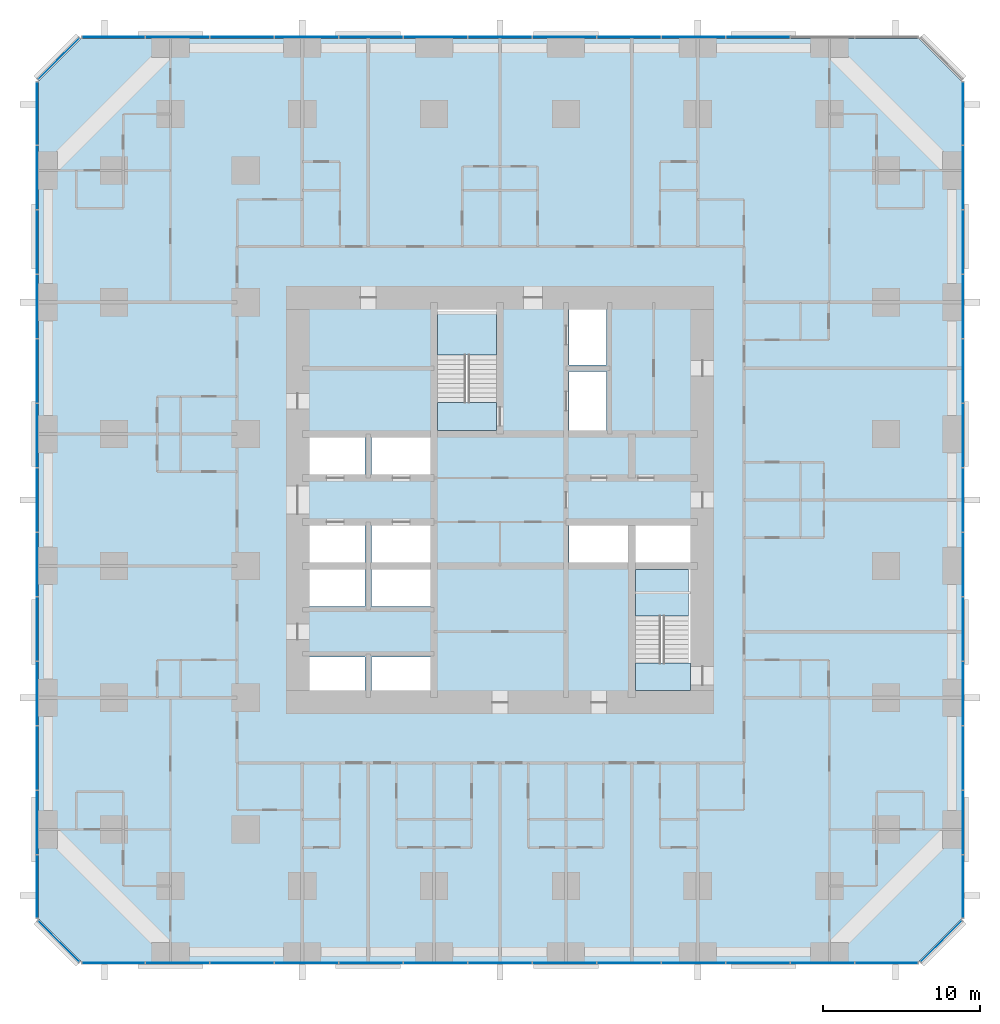
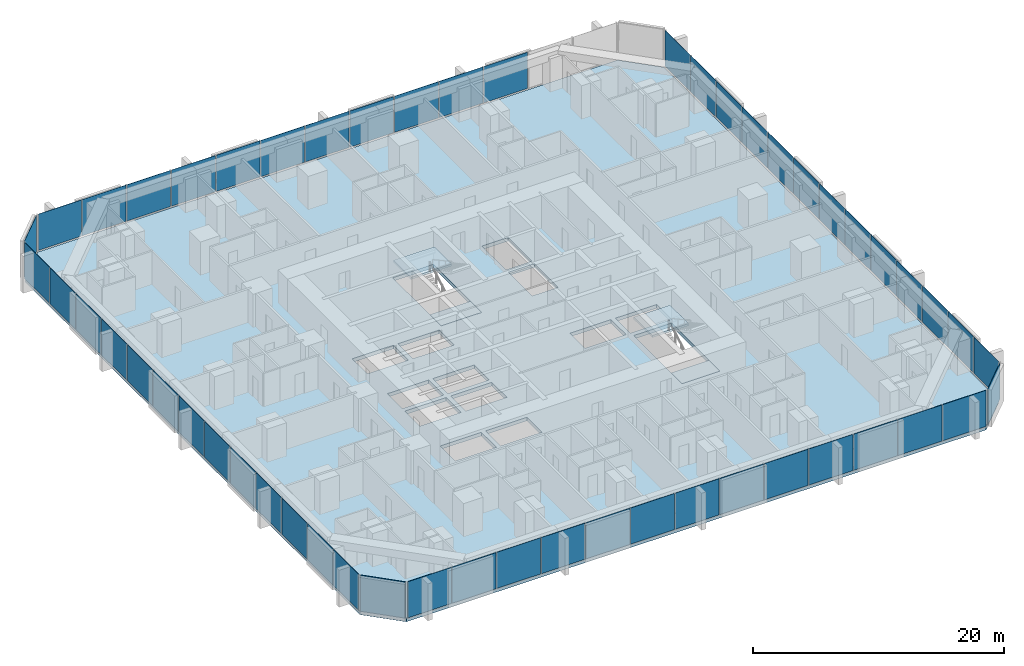
# One storey, part 9 of 17: 53 plates, 5 slabs, 9 elements without a shape of their own.
"""IFC4 building model written with IfcOpenShell, lengths in metres."""

from ifc_helpers import new_model, si_unit, direction, frame, origin, origin_2d, place, context, subcontext, project, spatial, polyline, rectangle, outline, extrude, material, layer, layer_set, type_object, element, aggregate, save


model = new_model("IFC4")

# Units and contexts
model_context = context("Model", 3, precision=1e-05, world=origin(), true_north=direction((0.0, 1.0)))
body_context = subcontext(model_context, "Body", "Model", "MODEL_VIEW")
ifc_project = project(units=[si_unit("LENGTHUNIT", "METRE"), si_unit("AREAUNIT", "SQUARE_METRE"), si_unit("VOLUMEUNIT", "CUBIC_METRE"), si_unit("PLANEANGLEUNIT", "RADIAN"), si_unit("MASSUNIT", "GRAM", prefix="KILO")], contexts=[model_context])

# Site, building, storey
site_placement = place(None, origin())
site = spatial("IfcSite", under=ifc_project, at=site_placement, CompositionType="ELEMENT")
building_placement = place(site_placement, origin())
building = spatial("IfcBuilding", under=site, at=building_placement, Name="Dunama Terrace Hotel", CompositionType="ELEMENT")
storey_placement = place(building_placement, frame((0.0, 0.0, 70.199951171875)))
storey = spatial("IfcBuildingStorey", under=building, at=storey_placement, Name="L17", CompositionType="ELEMENT", Elevation=70.199951171875)

# Curtain wall, plates
ifc_material_1 = material(Name="Aluminium curtain wall system", Category="aluminium")
curtain_wall_type = type_object("IfcCurtainWallType", Name="Unitised fritted glass wall CW-A", PredefinedType="NOTDEFINED", material=ifc_material_1)
curtain_wall_1_placement = place(storey_placement, origin())
curtain_wall_1 = element("IfcCurtainWall", 1, at=curtain_wall_1_placement, inside=storey, type_object=curtain_wall_type, Name="Unitised fritted glass wall CW-A L17", PredefinedType="NOTDEFINED")
ifc_material_2 = material(Name="Laminated glass", Category="glass")
ifc_layer_1 = layer(ifc_material_2, 0.030029296875)
ifc_layer_set_1 = layer_set([ifc_layer_1], Name="CWA clear glass panel")
plate_type_1 = type_object("IfcPlateType", Name="CWA clear glass panel", PredefinedType="CURTAIN_PANEL", material=ifc_layer_set_1)
plate_1_placement = place(storey_placement, frame((12.968994140625, -0.10009765625, 0.0751953125), z_axis=(0.0, 0.0, 1.0), x_axis=(1.0, 0.0, 0.0)))
plate_1 = element("IfcPlate", 2, at=plate_1_placement, type_object=plate_type_1, Name="CWA clear glass panel", PredefinedType="CURTAIN_PANEL", context=body_context, shape_type="SweptSolid", body=[
    extrude(rectangle(XDim=4.042724609375, YDim=0.030029296875, at=origin_2d()), origin(), (0.0, 0.0, 1.0), 3.52490234375),
])
plate_2_placement = place(storey_placement, frame((25.2919921875, -0.10009765625, 0.0751953125), z_axis=(0.0, 0.0, 1.0), x_axis=(1.0, 0.0, 0.0)))
plate_2 = element("IfcPlate", 3, at=plate_2_placement, type_object=plate_type_1, Name="CWA clear glass panel", PredefinedType="CURTAIN_PANEL", context=body_context, shape_type="SweptSolid", body=[
    extrude(rectangle(XDim=4.042724609375, YDim=0.030029296875, at=origin_2d()), origin(), (0.0, 0.0, 1.0), 3.52490234375),
])
plate_3_placement = place(storey_placement, frame((37.614990234375, -0.10009765625, 0.0751953125), z_axis=(0.0, 0.0, 1.0), x_axis=(1.0, 0.0, 0.0)))
plate_3 = element("IfcPlate", 4, at=plate_3_placement, type_object=plate_type_1, Name="CWA clear glass panel", PredefinedType="CURTAIN_PANEL", context=body_context, shape_type="SweptSolid", body=[
    extrude(rectangle(XDim=4.042724609375, YDim=0.030029296875, at=origin_2d()), origin(), (0.0, 0.0, 1.0), 3.52490234375),
])
plate_4_placement = place(storey_placement, frame((49.93798828125, -0.10009765625, 0.0751953125), z_axis=(0.0, 0.0, 1.0), x_axis=(1.0, 0.0, 0.0)))
plate_4 = element("IfcPlate", 5, at=plate_4_placement, type_object=plate_type_1, Name="CWA clear glass panel", PredefinedType="CURTAIN_PANEL", context=body_context, shape_type="SweptSolid", body=[
    extrude(rectangle(XDim=4.042724609375, YDim=0.030029296875, at=origin_2d()), origin(), (0.0, 0.0, 1.0), 3.52490234375),
])

curtain_wall_2_placement = place(storey_placement, origin())
curtain_wall_2 = element("IfcCurtainWall", 6, at=curtain_wall_2_placement, inside=storey, type_object=curtain_wall_type, Name="Unitised fritted glass wall CW-A L17", PredefinedType="NOTDEFINED")
plate_5_placement = place(storey_placement, frame((58.89990234375, 4.77001953125, 0.0751953125), z_axis=(0.0, 0.0, 1.0), x_axis=(0.0, 1.0, 0.0)))
plate_5 = element("IfcPlate", 7, at=plate_5_placement, type_object=plate_type_1, Name="CWA clear glass panel", PredefinedType="CURTAIN_PANEL", context=body_context, shape_type="SweptSolid", body=[
    extrude(rectangle(XDim=4.01025390625, YDim=0.030029296875, at=origin_2d()), origin(), (0.0, 0.0, 1.0), 3.52490234375),
])
plate_6_placement = place(storey_placement, frame((58.89990234375, 17.076904296875, 0.0751953125), z_axis=(0.0, 0.0, 1.0), x_axis=(0.0, 1.0, 0.0)))
plate_6 = element("IfcPlate", 8, at=plate_6_placement, type_object=plate_type_1, Name="CWA clear glass panel", PredefinedType="CURTAIN_PANEL", context=body_context, shape_type="SweptSolid", body=[
    extrude(rectangle(XDim=4.042724609375, YDim=0.030029296875, at=origin_2d()), origin(), (0.0, 0.0, 1.0), 3.52490234375),
])
plate_7_placement = place(storey_placement, frame((58.89990234375, 29.39990234375, 0.0751953125), z_axis=(0.0, 0.0, 1.0), x_axis=(0.0, 1.0, 0.0)))
plate_7 = element("IfcPlate", 9, at=plate_7_placement, type_object=plate_type_1, Name="CWA clear glass panel", PredefinedType="CURTAIN_PANEL", context=body_context, shape_type="SweptSolid", body=[
    extrude(rectangle(XDim=4.042724609375, YDim=0.030029296875, at=origin_2d()), origin(), (0.0, 0.0, 1.0), 3.52490234375),
])
plate_8_placement = place(storey_placement, frame((58.89990234375, 41.722900390625, 0.0751953125), z_axis=(0.0, 0.0, 1.0), x_axis=(0.0, 1.0, 0.0)))
plate_8 = element("IfcPlate", 10, at=plate_8_placement, type_object=plate_type_1, Name="CWA clear glass panel", PredefinedType="CURTAIN_PANEL", context=body_context, shape_type="SweptSolid", body=[
    extrude(rectangle(XDim=4.042724609375, YDim=0.030029296875, at=origin_2d()), origin(), (0.0, 0.0, 1.0), 3.52490234375),
])
plate_9_placement = place(storey_placement, frame((58.89990234375, 54.030029296875, 0.0751953125), z_axis=(0.0, 0.0, 1.0), x_axis=(0.0, 1.0, 0.0)))
plate_9 = element("IfcPlate", 11, at=plate_9_placement, type_object=plate_type_1, Name="CWA clear glass panel", PredefinedType="CURTAIN_PANEL", context=body_context, shape_type="SweptSolid", body=[
    extrude(rectangle(XDim=4.01025390625, YDim=0.030029296875, at=origin_2d()), origin(), (0.0, 0.0, 1.0), 3.52490234375),
])

curtain_wall_3_placement = place(storey_placement, origin())
curtain_wall_3 = element("IfcCurtainWall", 12, at=curtain_wall_3_placement, inside=storey, type_object=curtain_wall_type, Name="Unitised fritted glass wall CW-A L17", PredefinedType="NOTDEFINED")
plate_10_placement = place(storey_placement, frame((37.614990234375, 58.89990234375, 0.0751953125), z_axis=(0.0, 0.0, 1.0), x_axis=(-1.0, 0.0, 0.0)))
plate_10 = element("IfcPlate", 13, at=plate_10_placement, type_object=plate_type_1, Name="CWA clear glass panel", PredefinedType="CURTAIN_PANEL", context=body_context, shape_type="SweptSolid", body=[
    extrude(rectangle(XDim=4.042724609375, YDim=0.030029296875, at=origin_2d()), origin(), (0.0, 0.0, 1.0), 3.52490234375),
])
plate_11_placement = place(storey_placement, frame((25.2919921875, 58.89990234375, 0.0751953125), z_axis=(0.0, 0.0, 1.0), x_axis=(-1.0, 0.0, 0.0)))
plate_11 = element("IfcPlate", 14, at=plate_11_placement, type_object=plate_type_1, Name="CWA clear glass panel", PredefinedType="CURTAIN_PANEL", context=body_context, shape_type="SweptSolid", body=[
    extrude(rectangle(XDim=4.042724609375, YDim=0.030029296875, at=origin_2d()), origin(), (0.0, 0.0, 1.0), 3.52490234375),
])
plate_12_placement = place(storey_placement, frame((12.968994140625, 58.89990234375, 0.0751953125), z_axis=(0.0, 0.0, 1.0), x_axis=(-1.0, 0.0, 0.0)))
plate_12 = element("IfcPlate", 15, at=plate_12_placement, type_object=plate_type_1, Name="CWA clear glass panel", PredefinedType="CURTAIN_PANEL", context=body_context, shape_type="SweptSolid", body=[
    extrude(rectangle(XDim=4.042724609375, YDim=0.030029296875, at=origin_2d()), origin(), (0.0, 0.0, 1.0), 3.52490234375),
])

# Curtain wall, plate
curtain_wall_4_placement = place(storey_placement, origin())
curtain_wall_4 = element("IfcCurtainWall", 16, at=curtain_wall_4_placement, inside=storey, type_object=curtain_wall_type, Name="Unitised fritted glass wall CW-A L17", PredefinedType="NOTDEFINED")
plate_13_placement = place(storey_placement, frame((1.279052734375, 57.52099609375, 0.0751953125), z_axis=(0.0, 0.0, 1.0), x_axis=(-0.707106781187, -0.707106781187, 0.0)))
plate_13 = element("IfcPlate", 17, at=plate_13_placement, type_object=plate_type_1, Name="CWA clear glass panel", PredefinedType="CURTAIN_PANEL", context=body_context, shape_type="SweptSolid", body=[
    extrude(rectangle(XDim=3.6884765625, YDim=0.030029296875, at=origin_2d()), origin(), (0.0, 0.0, 1.0), 3.52490234375),
])
aggregate(curtain_wall_4, [plate_13])

# Curtain wall, plates
curtain_wall_5_placement = place(storey_placement, origin())
curtain_wall_5 = element("IfcCurtainWall", 18, at=curtain_wall_5_placement, inside=storey, type_object=curtain_wall_type, Name="Unitised fritted glass wall CW-A L17", PredefinedType="NOTDEFINED")
plate_14_placement = place(storey_placement, frame((-0.10009765625, 45.8310546875, 0.0751953125), z_axis=(0.0, 0.0, 1.0), x_axis=(0.0, -1.0, 0.0)))
plate_14 = element("IfcPlate", 19, at=plate_14_placement, type_object=plate_type_1, Name="CWA clear glass panel", PredefinedType="CURTAIN_PANEL", context=body_context, shape_type="SweptSolid", body=[
    extrude(rectangle(XDim=4.042724609375, YDim=0.030029296875, at=origin_2d()), origin(), (0.0, 0.0, 1.0), 3.52490234375),
])
plate_15_placement = place(storey_placement, frame((-0.10009765625, 33.508056640625, 0.0751953125), z_axis=(0.0, 0.0, 1.0), x_axis=(0.0, -1.0, 0.0)))
plate_15 = element("IfcPlate", 20, at=plate_15_placement, type_object=plate_type_1, Name="CWA clear glass panel", PredefinedType="CURTAIN_PANEL", context=body_context, shape_type="SweptSolid", body=[
    extrude(rectangle(XDim=4.042724609375, YDim=0.030029296875, at=origin_2d()), origin(), (0.0, 0.0, 1.0), 3.52490234375),
])
plate_16_placement = place(storey_placement, frame((-0.10009765625, 21.18505859375, 0.0751953125), z_axis=(0.0, 0.0, 1.0), x_axis=(0.0, -1.0, 0.0)))
plate_16 = element("IfcPlate", 21, at=plate_16_placement, type_object=plate_type_1, Name="CWA clear glass panel", PredefinedType="CURTAIN_PANEL", context=body_context, shape_type="SweptSolid", body=[
    extrude(rectangle(XDim=4.042724609375, YDim=0.030029296875, at=origin_2d()), origin(), (0.0, 0.0, 1.0), 3.52490234375),
])
plate_17_placement = place(storey_placement, frame((-0.10009765625, 8.862060546875, 0.0751953125), z_axis=(0.0, 0.0, 1.0), x_axis=(0.0, -1.0, 0.0)))
plate_17 = element("IfcPlate", 22, at=plate_17_placement, type_object=plate_type_1, Name="CWA clear glass panel", PredefinedType="CURTAIN_PANEL", context=body_context, shape_type="SweptSolid", body=[
    extrude(rectangle(XDim=4.042724609375, YDim=0.030029296875, at=origin_2d()), origin(), (0.0, 0.0, 1.0), 3.52490234375),
])

# Plate
ifc_material_3 = material(Name="Fritted laminated glass", Category="glass")
ifc_layer_2 = layer(ifc_material_3, 0.030029296875)
ifc_layer_set_2 = layer_set([ifc_layer_2], Name="CWA fritted glass panel")
plate_type_2 = type_object("IfcPlateType", Name="CWA fritted glass panel", PredefinedType="CURTAIN_PANEL", material=ifc_layer_set_2)
plate_18_placement = place(storey_placement, frame((8.862060546875, -0.10009765625, 0.0751953125), z_axis=(0.0, 0.0, 1.0), x_axis=(1.0, 0.0, 0.0)))
plate_18 = element("IfcPlate", 23, at=plate_18_placement, type_object=plate_type_2, Name="CWA fritted glass panel", PredefinedType="CURTAIN_PANEL", context=body_context, shape_type="SweptSolid", body=[
    extrude(rectangle(XDim=4.042724609375, YDim=0.030029296875, at=origin_2d()), origin(), (0.0, 0.0, 1.0), 3.52490234375),
])

plate_19_placement = place(storey_placement, frame((21.18505859375, -0.10009765625, 0.0751953125), z_axis=(0.0, 0.0, 1.0), x_axis=(1.0, 0.0, 0.0)))
plate_19 = element("IfcPlate", 24, at=plate_19_placement, type_object=plate_type_2, Name="CWA fritted glass panel", PredefinedType="CURTAIN_PANEL", context=body_context, shape_type="SweptSolid", body=[
    extrude(rectangle(XDim=4.042724609375, YDim=0.030029296875, at=origin_2d()), origin(), (0.0, 0.0, 1.0), 3.52490234375),
])

plate_20_placement = place(storey_placement, frame((33.508056640625, -0.10009765625, 0.0751953125), z_axis=(0.0, 0.0, 1.0), x_axis=(1.0, 0.0, 0.0)))
plate_20 = element("IfcPlate", 25, at=plate_20_placement, type_object=plate_type_2, Name="CWA fritted glass panel", PredefinedType="CURTAIN_PANEL", context=body_context, shape_type="SweptSolid", body=[
    extrude(rectangle(XDim=4.042724609375, YDim=0.030029296875, at=origin_2d()), origin(), (0.0, 0.0, 1.0), 3.52490234375),
])

plate_21_placement = place(storey_placement, frame((45.8310546875, -0.10009765625, 0.0751953125), z_axis=(0.0, 0.0, 1.0), x_axis=(1.0, 0.0, 0.0)))
plate_21 = element("IfcPlate", 26, at=plate_21_placement, type_object=plate_type_2, Name="CWA fritted glass panel", PredefinedType="CURTAIN_PANEL", context=body_context, shape_type="SweptSolid", body=[
    extrude(rectangle(XDim=4.042724609375, YDim=0.030029296875, at=origin_2d()), origin(), (0.0, 0.0, 1.0), 3.52490234375),
])

# Curtain wall, plate
curtain_wall_6_placement = place(storey_placement, origin())
curtain_wall_6 = element("IfcCurtainWall", 27, at=curtain_wall_6_placement, inside=storey, type_object=curtain_wall_type, Name="Unitised fritted glass wall CW-A L17", PredefinedType="NOTDEFINED")
plate_22_placement = place(storey_placement, frame((57.52099609375, 1.279052734375, 0.0751953125), z_axis=(0.0, 0.0, 1.0), x_axis=(0.707106781187, 0.707106781187, 0.0)))
plate_22 = element("IfcPlate", 28, at=plate_22_placement, type_object=plate_type_2, Name="CWA fritted glass panel", PredefinedType="CURTAIN_PANEL", context=body_context, shape_type="SweptSolid", body=[
    extrude(rectangle(XDim=3.6884765625, YDim=0.030029296875, at=origin_2d()), origin(), (0.0, 0.0, 1.0), 3.52490234375),
])
aggregate(curtain_wall_6, [plate_22])

# Plate
plate_23_placement = place(storey_placement, frame((58.89990234375, 12.968994140625, 0.0751953125), z_axis=(0.0, 0.0, 1.0), x_axis=(0.0, 1.0, 0.0)))
plate_23 = element("IfcPlate", 29, at=plate_23_placement, type_object=plate_type_2, Name="CWA fritted glass panel", PredefinedType="CURTAIN_PANEL", context=body_context, shape_type="SweptSolid", body=[
    extrude(rectangle(XDim=4.042724609375, YDim=0.030029296875, at=origin_2d()), origin(), (0.0, 0.0, 1.0), 3.52490234375),
])

plate_24_placement = place(storey_placement, frame((58.89990234375, 25.2919921875, 0.0751953125), z_axis=(0.0, 0.0, 1.0), x_axis=(0.0, 1.0, 0.0)))
plate_24 = element("IfcPlate", 30, at=plate_24_placement, type_object=plate_type_2, Name="CWA fritted glass panel", PredefinedType="CURTAIN_PANEL", context=body_context, shape_type="SweptSolid", body=[
    extrude(rectangle(XDim=4.042724609375, YDim=0.030029296875, at=origin_2d()), origin(), (0.0, 0.0, 1.0), 3.52490234375),
])

plate_25_placement = place(storey_placement, frame((58.89990234375, 37.614990234375, 0.0751953125), z_axis=(0.0, 0.0, 1.0), x_axis=(0.0, 1.0, 0.0)))
plate_25 = element("IfcPlate", 31, at=plate_25_placement, type_object=plate_type_2, Name="CWA fritted glass panel", PredefinedType="CURTAIN_PANEL", context=body_context, shape_type="SweptSolid", body=[
    extrude(rectangle(XDim=4.042724609375, YDim=0.030029296875, at=origin_2d()), origin(), (0.0, 0.0, 1.0), 3.52490234375),
])

plate_26_placement = place(storey_placement, frame((58.89990234375, 49.93798828125, 0.0751953125), z_axis=(0.0, 0.0, 1.0), x_axis=(0.0, 1.0, 0.0)))
plate_26 = element("IfcPlate", 32, at=plate_26_placement, type_object=plate_type_2, Name="CWA fritted glass panel", PredefinedType="CURTAIN_PANEL", context=body_context, shape_type="SweptSolid", body=[
    extrude(rectangle(XDim=4.042724609375, YDim=0.030029296875, at=origin_2d()), origin(), (0.0, 0.0, 1.0), 3.52490234375),
])

plate_27_placement = place(storey_placement, frame((41.722900390625, 58.89990234375, 0.0751953125), z_axis=(0.0, 0.0, 1.0), x_axis=(-1.0, 0.0, 0.0)))
plate_27 = element("IfcPlate", 33, at=plate_27_placement, type_object=plate_type_2, Name="CWA fritted glass panel", PredefinedType="CURTAIN_PANEL", context=body_context, shape_type="SweptSolid", body=[
    extrude(rectangle(XDim=4.042724609375, YDim=0.030029296875, at=origin_2d()), origin(), (0.0, 0.0, 1.0), 3.52490234375),
])

plate_28_placement = place(storey_placement, frame((29.39990234375, 58.89990234375, 0.0751953125), z_axis=(0.0, 0.0, 1.0), x_axis=(-1.0, 0.0, 0.0)))
plate_28 = element("IfcPlate", 34, at=plate_28_placement, type_object=plate_type_2, Name="CWA fritted glass panel", PredefinedType="CURTAIN_PANEL", context=body_context, shape_type="SweptSolid", body=[
    extrude(rectangle(XDim=4.042724609375, YDim=0.030029296875, at=origin_2d()), origin(), (0.0, 0.0, 1.0), 3.52490234375),
])

plate_29_placement = place(storey_placement, frame((17.076904296875, 58.89990234375, 0.0751953125), z_axis=(0.0, 0.0, 1.0), x_axis=(-1.0, 0.0, 0.0)))
plate_29 = element("IfcPlate", 35, at=plate_29_placement, type_object=plate_type_2, Name="CWA fritted glass panel", PredefinedType="CURTAIN_PANEL", context=body_context, shape_type="SweptSolid", body=[
    extrude(rectangle(XDim=4.042724609375, YDim=0.030029296875, at=origin_2d()), origin(), (0.0, 0.0, 1.0), 3.52490234375),
])

plate_30_placement = place(storey_placement, frame((4.77001953125, 58.89990234375, 0.0751953125), z_axis=(0.0, 0.0, 1.0), x_axis=(-1.0, 0.0, 0.0)))
plate_30 = element("IfcPlate", 36, at=plate_30_placement, type_object=plate_type_2, Name="CWA fritted glass panel", PredefinedType="CURTAIN_PANEL", context=body_context, shape_type="SweptSolid", body=[
    extrude(rectangle(XDim=4.01025390625, YDim=0.030029296875, at=origin_2d()), origin(), (0.0, 0.0, 1.0), 3.52490234375),
])

plate_31_placement = place(storey_placement, frame((-0.10009765625, 49.93798828125, 0.0751953125), z_axis=(0.0, 0.0, 1.0), x_axis=(0.0, -1.0, 0.0)))
plate_31 = element("IfcPlate", 37, at=plate_31_placement, type_object=plate_type_2, Name="CWA fritted glass panel", PredefinedType="CURTAIN_PANEL", context=body_context, shape_type="SweptSolid", body=[
    extrude(rectangle(XDim=4.042724609375, YDim=0.030029296875, at=origin_2d()), origin(), (0.0, 0.0, 1.0), 3.52490234375),
])

plate_32_placement = place(storey_placement, frame((-0.10009765625, 37.614990234375, 0.0751953125), z_axis=(0.0, 0.0, 1.0), x_axis=(0.0, -1.0, 0.0)))
plate_32 = element("IfcPlate", 38, at=plate_32_placement, type_object=plate_type_2, Name="CWA fritted glass panel", PredefinedType="CURTAIN_PANEL", context=body_context, shape_type="SweptSolid", body=[
    extrude(rectangle(XDim=4.042724609375, YDim=0.030029296875, at=origin_2d()), origin(), (0.0, 0.0, 1.0), 3.52490234375),
])

plate_33_placement = place(storey_placement, frame((-0.10009765625, 25.2919921875, 0.0751953125), z_axis=(0.0, 0.0, 1.0), x_axis=(0.0, -1.0, 0.0)))
plate_33 = element("IfcPlate", 39, at=plate_33_placement, type_object=plate_type_2, Name="CWA fritted glass panel", PredefinedType="CURTAIN_PANEL", context=body_context, shape_type="SweptSolid", body=[
    extrude(rectangle(XDim=4.042724609375, YDim=0.030029296875, at=origin_2d()), origin(), (0.0, 0.0, 1.0), 3.52490234375),
])

plate_34_placement = place(storey_placement, frame((-0.10009765625, 12.968994140625, 0.0751953125), z_axis=(0.0, 0.0, 1.0), x_axis=(0.0, -1.0, 0.0)))
plate_34 = element("IfcPlate", 40, at=plate_34_placement, type_object=plate_type_2, Name="CWA fritted glass panel", PredefinedType="CURTAIN_PANEL", context=body_context, shape_type="SweptSolid", body=[
    extrude(rectangle(XDim=4.042724609375, YDim=0.030029296875, at=origin_2d()), origin(), (0.0, 0.0, 1.0), 3.52490234375),
])

# Curtain wall, plate
curtain_wall_7_placement = place(storey_placement, origin())
curtain_wall_7 = element("IfcCurtainWall", 41, at=curtain_wall_7_placement, inside=storey, type_object=curtain_wall_type, Name="Unitised fritted glass wall CW-A L17", PredefinedType="NOTDEFINED")
plate_35_placement = place(storey_placement, frame((1.279052734375, 1.279052734375, 0.0751953125), z_axis=(0.0, 0.0, 1.0), x_axis=(0.707106781187, -0.707106781187, 0.0)))
plate_35 = element("IfcPlate", 42, at=plate_35_placement, type_object=plate_type_2, Name="CWA fritted glass panel", PredefinedType="CURTAIN_PANEL", context=body_context, shape_type="SweptSolid", body=[
    extrude(rectangle(XDim=3.6884765625, YDim=0.030029296875, at=origin_2d()), origin(), (0.0, 0.0, 1.0), 3.52490234375),
])
aggregate(curtain_wall_7, [plate_35])

# Plate
ifc_material_4 = material(Name="Laminated glass", Category="glass")
ifc_layer_3 = layer(ifc_material_4, 0.030029296875)
ifc_layer_set_3 = layer_set([ifc_layer_3], Name="CWA operable glass panel")
plate_type_3 = type_object("IfcPlateType", Name="CWA operable glass panel", PredefinedType="CURTAIN_PANEL", material=ifc_layer_set_3)
plate_36_placement = place(storey_placement, frame((4.77001953125, -0.10009765625, 0.0751953125), z_axis=(0.0, 0.0, 1.0), x_axis=(1.0, 0.0, 0.0)))
plate_36 = element("IfcPlate", 43, at=plate_36_placement, type_object=plate_type_3, Name="CWA operable glass panel", PredefinedType="CURTAIN_PANEL", context=body_context, shape_type="SweptSolid", body=[
    extrude(rectangle(XDim=4.01025390625, YDim=0.030029296875, at=origin_2d()), origin(), (0.0, 0.0, 1.0), 3.52490234375),
])

plate_37_placement = place(storey_placement, frame((17.076904296875, -0.10009765625, 0.0751953125), z_axis=(0.0, 0.0, 1.0), x_axis=(1.0, 0.0, 0.0)))
plate_37 = element("IfcPlate", 44, at=plate_37_placement, type_object=plate_type_3, Name="CWA operable glass panel", PredefinedType="CURTAIN_PANEL", context=body_context, shape_type="SweptSolid", body=[
    extrude(rectangle(XDim=4.042724609375, YDim=0.030029296875, at=origin_2d()), origin(), (0.0, 0.0, 1.0), 3.52490234375),
])

plate_38_placement = place(storey_placement, frame((29.39990234375, -0.10009765625, 0.0751953125), z_axis=(0.0, 0.0, 1.0), x_axis=(1.0, 0.0, 0.0)))
plate_38 = element("IfcPlate", 45, at=plate_38_placement, type_object=plate_type_3, Name="CWA operable glass panel", PredefinedType="CURTAIN_PANEL", context=body_context, shape_type="SweptSolid", body=[
    extrude(rectangle(XDim=4.042724609375, YDim=0.030029296875, at=origin_2d()), origin(), (0.0, 0.0, 1.0), 3.52490234375),
])

plate_39_placement = place(storey_placement, frame((41.722900390625, -0.10009765625, 0.0751953125), z_axis=(0.0, 0.0, 1.0), x_axis=(1.0, 0.0, 0.0)))
plate_39 = element("IfcPlate", 46, at=plate_39_placement, type_object=plate_type_3, Name="CWA operable glass panel", PredefinedType="CURTAIN_PANEL", context=body_context, shape_type="SweptSolid", body=[
    extrude(rectangle(XDim=4.042724609375, YDim=0.030029296875, at=origin_2d()), origin(), (0.0, 0.0, 1.0), 3.52490234375),
])

plate_40_placement = place(storey_placement, frame((54.030029296875, -0.10009765625, 0.0751953125), z_axis=(0.0, 0.0, 1.0), x_axis=(1.0, 0.0, 0.0)))
plate_40 = element("IfcPlate", 47, at=plate_40_placement, type_object=plate_type_3, Name="CWA operable glass panel", PredefinedType="CURTAIN_PANEL", context=body_context, shape_type="SweptSolid", body=[
    extrude(rectangle(XDim=4.01025390625, YDim=0.030029296875, at=origin_2d()), origin(), (0.0, 0.0, 1.0), 3.52490234375),
])

aggregate(curtain_wall_1, [plate_36, plate_18, plate_1, plate_37, plate_19, plate_2, plate_38, plate_20, plate_3, plate_39, plate_21, plate_4, plate_40])

plate_41_placement = place(storey_placement, frame((58.89990234375, 8.862060546875, 0.0751953125), z_axis=(0.0, 0.0, 1.0), x_axis=(0.0, 1.0, 0.0)))
plate_41 = element("IfcPlate", 48, at=plate_41_placement, type_object=plate_type_3, Name="CWA operable glass panel", PredefinedType="CURTAIN_PANEL", context=body_context, shape_type="SweptSolid", body=[
    extrude(rectangle(XDim=4.042724609375, YDim=0.030029296875, at=origin_2d()), origin(), (0.0, 0.0, 1.0), 3.52490234375),
])

plate_42_placement = place(storey_placement, frame((58.89990234375, 21.18505859375, 0.0751953125), z_axis=(0.0, 0.0, 1.0), x_axis=(0.0, 1.0, 0.0)))
plate_42 = element("IfcPlate", 49, at=plate_42_placement, type_object=plate_type_3, Name="CWA operable glass panel", PredefinedType="CURTAIN_PANEL", context=body_context, shape_type="SweptSolid", body=[
    extrude(rectangle(XDim=4.042724609375, YDim=0.030029296875, at=origin_2d()), origin(), (0.0, 0.0, 1.0), 3.52490234375),
])

plate_43_placement = place(storey_placement, frame((58.89990234375, 33.508056640625, 0.0751953125), z_axis=(0.0, 0.0, 1.0), x_axis=(0.0, 1.0, 0.0)))
plate_43 = element("IfcPlate", 50, at=plate_43_placement, type_object=plate_type_3, Name="CWA operable glass panel", PredefinedType="CURTAIN_PANEL", context=body_context, shape_type="SweptSolid", body=[
    extrude(rectangle(XDim=4.042724609375, YDim=0.030029296875, at=origin_2d()), origin(), (0.0, 0.0, 1.0), 3.52490234375),
])

plate_44_placement = place(storey_placement, frame((58.89990234375, 45.8310546875, 0.0751953125), z_axis=(0.0, 0.0, 1.0), x_axis=(0.0, 1.0, 0.0)))
plate_44 = element("IfcPlate", 51, at=plate_44_placement, type_object=plate_type_3, Name="CWA operable glass panel", PredefinedType="CURTAIN_PANEL", context=body_context, shape_type="SweptSolid", body=[
    extrude(rectangle(XDim=4.042724609375, YDim=0.030029296875, at=origin_2d()), origin(), (0.0, 0.0, 1.0), 3.52490234375),
])

aggregate(curtain_wall_2, [plate_5, plate_41, plate_23, plate_6, plate_42, plate_24, plate_7, plate_43, plate_25, plate_8, plate_44, plate_26, plate_9])

plate_45_placement = place(storey_placement, frame((45.8310546875, 58.89990234375, 0.0751953125), z_axis=(0.0, 0.0, 1.0), x_axis=(-1.0, 0.0, 0.0)))
plate_45 = element("IfcPlate", 52, at=plate_45_placement, type_object=plate_type_3, Name="CWA operable glass panel", PredefinedType="CURTAIN_PANEL", context=body_context, shape_type="SweptSolid", body=[
    extrude(rectangle(XDim=4.042724609375, YDim=0.030029296875, at=origin_2d()), origin(), (0.0, 0.0, 1.0), 3.52490234375),
])

plate_46_placement = place(storey_placement, frame((33.508056640625, 58.89990234375, 0.0751953125), z_axis=(0.0, 0.0, 1.0), x_axis=(-1.0, 0.0, 0.0)))
plate_46 = element("IfcPlate", 53, at=plate_46_placement, type_object=plate_type_3, Name="CWA operable glass panel", PredefinedType="CURTAIN_PANEL", context=body_context, shape_type="SweptSolid", body=[
    extrude(rectangle(XDim=4.042724609375, YDim=0.030029296875, at=origin_2d()), origin(), (0.0, 0.0, 1.0), 3.52490234375),
])

plate_47_placement = place(storey_placement, frame((21.18505859375, 58.89990234375, 0.0751953125), z_axis=(0.0, 0.0, 1.0), x_axis=(-1.0, 0.0, 0.0)))
plate_47 = element("IfcPlate", 54, at=plate_47_placement, type_object=plate_type_3, Name="CWA operable glass panel", PredefinedType="CURTAIN_PANEL", context=body_context, shape_type="SweptSolid", body=[
    extrude(rectangle(XDim=4.042724609375, YDim=0.030029296875, at=origin_2d()), origin(), (0.0, 0.0, 1.0), 3.52490234375),
])

plate_48_placement = place(storey_placement, frame((8.862060546875, 58.89990234375, 0.0751953125), z_axis=(0.0, 0.0, 1.0), x_axis=(-1.0, 0.0, 0.0)))
plate_48 = element("IfcPlate", 55, at=plate_48_placement, type_object=plate_type_3, Name="CWA operable glass panel", PredefinedType="CURTAIN_PANEL", context=body_context, shape_type="SweptSolid", body=[
    extrude(rectangle(XDim=4.042724609375, YDim=0.030029296875, at=origin_2d()), origin(), (0.0, 0.0, 1.0), 3.52490234375),
])

aggregate(curtain_wall_3, [plate_45, plate_27, plate_10, plate_46, plate_28, plate_11, plate_47, plate_29, plate_12, plate_48, plate_30])

plate_49_placement = place(storey_placement, frame((-0.10009765625, 54.030029296875, 0.0751953125), z_axis=(0.0, 0.0, 1.0), x_axis=(0.0, -1.0, 0.0)))
plate_49 = element("IfcPlate", 56, at=plate_49_placement, type_object=plate_type_3, Name="CWA operable glass panel", PredefinedType="CURTAIN_PANEL", context=body_context, shape_type="SweptSolid", body=[
    extrude(rectangle(XDim=4.01025390625, YDim=0.030029296875, at=origin_2d()), origin(), (0.0, 0.0, 1.0), 3.52490234375),
])

plate_50_placement = place(storey_placement, frame((-0.10009765625, 41.722900390625, 0.0751953125), z_axis=(0.0, 0.0, 1.0), x_axis=(0.0, -1.0, 0.0)))
plate_50 = element("IfcPlate", 57, at=plate_50_placement, type_object=plate_type_3, Name="CWA operable glass panel", PredefinedType="CURTAIN_PANEL", context=body_context, shape_type="SweptSolid", body=[
    extrude(rectangle(XDim=4.042724609375, YDim=0.030029296875, at=origin_2d()), origin(), (0.0, 0.0, 1.0), 3.52490234375),
])

plate_51_placement = place(storey_placement, frame((-0.10009765625, 29.39990234375, 0.0751953125), z_axis=(0.0, 0.0, 1.0), x_axis=(0.0, -1.0, 0.0)))
plate_51 = element("IfcPlate", 58, at=plate_51_placement, type_object=plate_type_3, Name="CWA operable glass panel", PredefinedType="CURTAIN_PANEL", context=body_context, shape_type="SweptSolid", body=[
    extrude(rectangle(XDim=4.042724609375, YDim=0.030029296875, at=origin_2d()), origin(), (0.0, 0.0, 1.0), 3.52490234375),
])

plate_52_placement = place(storey_placement, frame((-0.10009765625, 17.076904296875, 0.0751953125), z_axis=(0.0, 0.0, 1.0), x_axis=(0.0, -1.0, 0.0)))
plate_52 = element("IfcPlate", 59, at=plate_52_placement, type_object=plate_type_3, Name="CWA operable glass panel", PredefinedType="CURTAIN_PANEL", context=body_context, shape_type="SweptSolid", body=[
    extrude(rectangle(XDim=4.042724609375, YDim=0.030029296875, at=origin_2d()), origin(), (0.0, 0.0, 1.0), 3.52490234375),
])

plate_53_placement = place(storey_placement, frame((-0.10009765625, 4.77001953125, 0.0751953125), z_axis=(0.0, 0.0, 1.0), x_axis=(0.0, -1.0, 0.0)))
plate_53 = element("IfcPlate", 60, at=plate_53_placement, type_object=plate_type_3, Name="CWA operable glass panel", PredefinedType="CURTAIN_PANEL", context=body_context, shape_type="SweptSolid", body=[
    extrude(rectangle(XDim=4.01025390625, YDim=0.030029296875, at=origin_2d()), origin(), (0.0, 0.0, 1.0), 3.52490234375),
])

aggregate(curtain_wall_5, [plate_49, plate_31, plate_14, plate_50, plate_32, plate_15, plate_51, plate_33, plate_16, plate_52, plate_34, plate_17, plate_53])

# Slab
ifc_material_5 = material(Name="Concrete C40/50", Category="concrete")
ifc_layer_4 = layer(ifc_material_5, 0.35009765625)
ifc_layer_set_4 = layer_set([ifc_layer_4], Name="Flat plate 350")
slab_type_1 = type_object("IfcSlabType", Name="Flat plate 350", PredefinedType="FLOOR", material=ifc_layer_set_4)
slab_1_placement = place(storey_placement, frame((0.0, 0.0, -0.349853515625)))
element("IfcSlab", 61, at=slab_1_placement, inside=storey, type_object=slab_type_1, Name="Floor slab L17", PredefinedType="FLOOR", context=body_context, shape_type="SweptSolid", body=[
    extrude(outline(polyline([(2.699951171875, 0.0), (56.10009765625, 0.0), (58.800048828125, 2.699951171875), (58.800048828125, 56.10009765625), (56.10009765625, 58.800048828125), (2.699951171875, 58.800048828125), (0.0, 56.10009765625), (0.0, 2.699951171875), (2.699951171875, 0.0)]), holes=[polyline([(20.800048828125, 25.39990234375), (20.800048828125, 27.800048828125), (17.0, 27.800048828125), (17.0, 25.39990234375), (20.800048828125, 25.39990234375)]), polyline([(25.0, 25.39990234375), (25.0, 27.800048828125), (21.199951171875, 27.800048828125), (21.199951171875, 25.39990234375), (25.0, 25.39990234375)]), polyline([(20.800048828125, 31.0), (20.800048828125, 33.39990234375), (17.0, 33.39990234375), (17.0, 31.0), (20.800048828125, 31.0)]), polyline([(25.0, 31.0), (25.0, 33.39990234375), (21.199951171875, 33.39990234375), (21.199951171875, 31.0), (25.0, 31.0)]), polyline([(37.60009765625, 25.39990234375), (37.60009765625, 27.800048828125), (33.800048828125, 27.800048828125), (33.800048828125, 25.39990234375), (37.60009765625, 25.39990234375)]), polyline([(41.800048828125, 25.39990234375), (41.800048828125, 27.800048828125), (38.0, 27.800048828125), (38.0, 25.39990234375), (41.800048828125, 25.39990234375)]), polyline([(20.800048828125, 17.0), (20.800048828125, 19.39990234375), (17.0, 19.39990234375), (17.0, 17.0), (20.800048828125, 17.0)]), polyline([(25.0, 17.0), (25.0, 19.39990234375), (21.199951171875, 19.39990234375), (21.199951171875, 17.0), (25.0, 17.0)]), polyline([(20.800048828125, 22.60009765625), (20.800048828125, 25.0), (17.0, 25.0), (17.0, 22.60009765625), (20.800048828125, 22.60009765625)]), polyline([(25.0, 22.60009765625), (25.0, 25.0), (21.199951171875, 25.0), (21.199951171875, 22.60009765625), (25.0, 22.60009765625)]), polyline([(36.199951171875, 38.0), (36.199951171875, 41.800048828125), (33.800048828125, 41.800048828125), (33.800048828125, 38.0), (36.199951171875, 38.0)]), polyline([(36.199951171875, 33.800048828125), (36.199951171875, 37.60009765625), (33.800048828125, 37.60009765625), (33.800048828125, 33.800048828125), (36.199951171875, 33.800048828125)]), polyline([(29.175048828125, 33.824951171875), (29.175048828125, 41.550048828125), (25.425048828125, 41.550048828125), (25.425048828125, 33.824951171875), (29.175048828125, 33.824951171875)]), polyline([(41.550048828125, 17.25), (41.550048828125, 24.97509765625), (38.050048828125, 24.97509765625), (38.050048828125, 17.25), (41.550048828125, 17.25)])]), origin(), (0.0, 0.0, 1.0), 0.349853515625),
])

# Stair, slabs
ifc_material_6 = material(Name="Concrete C40/50", Category="concrete")
stair_type_1 = type_object("IfcStairType", Name="Stair ST1-3600-1800", PredefinedType="HALF_TURN_STAIR", material=ifc_material_6)
stair_1_placement = place(storey_placement, origin())
stair_1 = element("IfcStair", 62, at=stair_1_placement, inside=storey, type_object=stair_type_1, Name="Stair ST1 L17", PredefinedType="HALF_TURN_STAIR")
ifc_material_7 = material(Name="Concrete C40/50", Category="concrete")
ifc_layer_5 = layer(ifc_material_7, 0.199951171875)
ifc_layer_set_5 = layer_set([ifc_layer_5], Name="Stair landing 200")
slab_type_2 = type_object("IfcSlabType", Name="Stair landing 200", PredefinedType="LANDING", material=ifc_layer_set_5)
slab_2_placement = place(storey_placement, frame((0.0, 0.0, -0.199951171875)))
slab_2 = element("IfcSlab", 63, at=slab_2_placement, type_object=slab_type_2, Name="ST1 landing 1, type S10", PredefinedType="LANDING", context=body_context, shape_type="SweptSolid", body=[
    extrude(outline(polyline([(25.425048828125, 33.824951171875), (29.175048828125, 33.824951171875), (29.175048828125, 35.625), (25.425048828125, 35.625), (25.425048828125, 33.824951171875)])), origin(), (0.0, 0.0, 1.0), 0.199951171875),
])
slab_3_placement = place(storey_placement, frame((0.0, 0.0, 1.60009765625)))
slab_3 = element("IfcSlab", 64, at=slab_3_placement, type_object=slab_type_2, Name="ST1 landing 2, type S10", PredefinedType="LANDING", context=body_context, shape_type="SweptSolid", body=[
    extrude(outline(polyline([(25.425048828125, 38.625), (29.175048828125, 38.625), (29.175048828125, 41.39990234375), (25.425048828125, 41.39990234375), (25.425048828125, 38.625)])), origin(), (0.0, 0.0, 1.0), 0.199951171875),
])
aggregate(stair_1, [slab_2, slab_3])

ifc_material_8 = material(Name="Concrete C40/50", Category="concrete")
stair_type_2 = type_object("IfcStairType", Name="Stair ST2-3600-1600", PredefinedType="HALF_TURN_STAIR", material=ifc_material_8)
stair_2_placement = place(storey_placement, origin())
stair_2 = element("IfcStair", 65, at=stair_2_placement, inside=storey, type_object=stair_type_2, Name="Stair ST2 L17", PredefinedType="HALF_TURN_STAIR")
slab_4_placement = place(storey_placement, frame((0.0, 0.0, -0.199951171875)))
slab_4 = element("IfcSlab", 66, at=slab_4_placement, type_object=slab_type_2, Name="ST2 landing 1, type S10", PredefinedType="LANDING", context=body_context, shape_type="SweptSolid", body=[
    extrude(outline(polyline([(38.050048828125, 17.25), (41.550048828125, 17.25), (41.550048828125, 19.0), (38.050048828125, 19.0), (38.050048828125, 17.25)])), origin(), (0.0, 0.0, 1.0), 0.199951171875),
])
slab_5_placement = place(storey_placement, frame((0.0, 0.0, 1.60009765625)))
slab_5 = element("IfcSlab", 67, at=slab_5_placement, type_object=slab_type_2, Name="ST2 landing 2, type S10", PredefinedType="LANDING", context=body_context, shape_type="SweptSolid", body=[
    extrude(outline(polyline([(38.050048828125, 22.0), (41.39990234375, 22.0), (41.39990234375, 24.97509765625), (38.050048828125, 24.97509765625), (38.050048828125, 22.0)])), origin(), (0.0, 0.0, 1.0), 0.199951171875),
])
aggregate(stair_2, [slab_4, slab_5])

save(model, "model.ifc")
